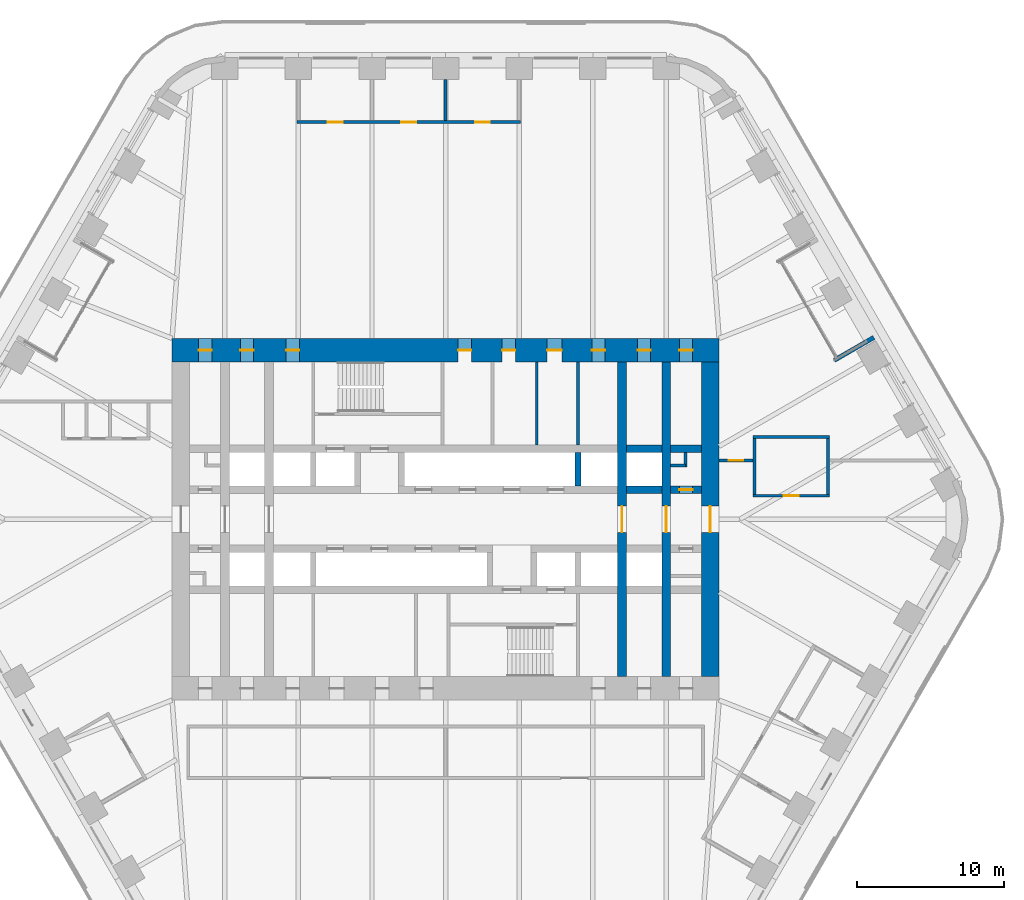
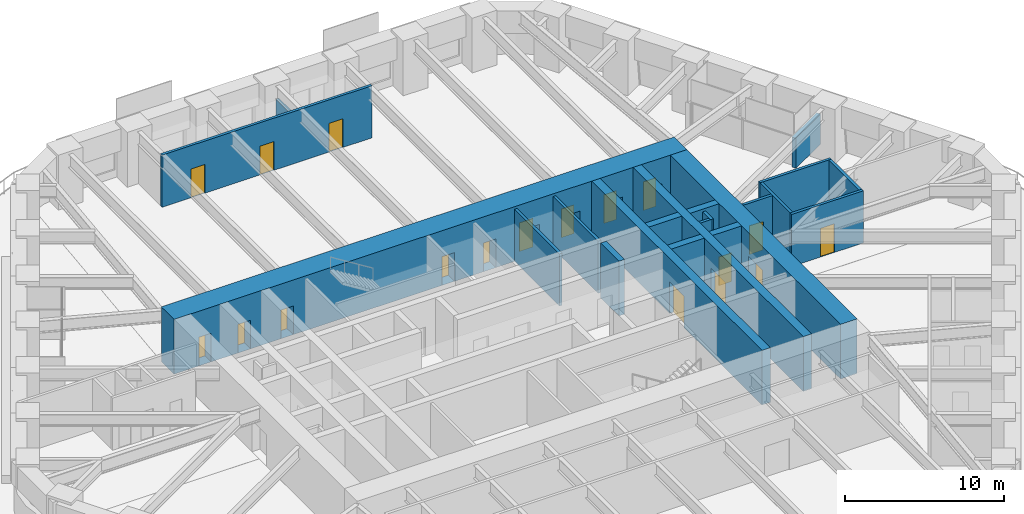
# One storey, part 20 of 24: 21 walls, 18 doors, 18 openings.
"""IFC4 building model written with IfcOpenShell, lengths in metres."""

from ifc_helpers import new_model, si_unit, direction, frame, frame_2d, origin, place, context, subcontext, project, spatial, rectangle, extrude, material, layer, layer_set, type_object, element, fill, save


model = new_model("IFC4")

# Units and contexts
model_context = context("Model", 3, precision=1e-05, world=origin(), true_north=direction((0.0, 1.0)))
body_context = subcontext(model_context, "Body", "Model", "MODEL_VIEW")
ifc_project = project(units=[si_unit("LENGTHUNIT", "METRE"), si_unit("AREAUNIT", "SQUARE_METRE"), si_unit("VOLUMEUNIT", "CUBIC_METRE"), si_unit("PLANEANGLEUNIT", "RADIAN"), si_unit("MASSUNIT", "GRAM", prefix="KILO")], contexts=[model_context])

# Site, building, storey
site_placement = place(None, origin())
site = spatial("IfcSite", under=ifc_project, at=site_placement, CompositionType="ELEMENT")
building_placement = place(site_placement, origin())
building = spatial("IfcBuilding", under=site, at=building_placement, Name="Tarfa Lantern Tower", CompositionType="ELEMENT")
storey_placement = place(building_placement, frame((0.0, 0.0, 132.10009765625)))
storey = spatial("IfcBuildingStorey", under=building, at=storey_placement, Name="L29", CompositionType="ELEMENT", Elevation=132.10009765625)

# Walls
ifc_material_1 = material(Name="Limestone cladding on blockwork", Category="masonry")
ifc_layer_1 = layer(ifc_material_1, 0.300048828125)
ifc_layer_set_1 = layer_set([ifc_layer_1], Name="EW1 STONE-CLAD WALL 300")
wall_type_1 = type_object("IfcWallType", Name="EW1 STONE-CLAD WALL 300", PredefinedType="SOLIDWALL", material=ifc_layer_set_1)
wall_1_placement = place(storey_placement, frame((29.1201171875, 12.362548828125, 0.0), z_axis=(0.0, 0.0, 1.0), x_axis=(-0.86602952684, -0.49999285859, 0.0)))
element("IfcWall", 1, at=wall_1_placement, inside=storey, type_object=wall_type_1, Name="Loggia return NE 1", PredefinedType="SOLIDWALL", context=body_context, shape_type="SweptSolid", body=[
    extrude(rectangle(XDim=3.10009765625, YDim=0.300048828125, at=frame_2d((1.550048828125, 0.0))), origin(), (0.0, 0.0, 1.0), 2.2998046875),
])
ifc_material_2 = material(Name="Concrete blockwork", Category="masonry")
ifc_layer_2 = layer(ifc_material_2, 0.199951171875)
ifc_layer_set_2 = layer_set([ifc_layer_2], Name="IW1 BLOCKWORK PARTITION 200 EI 120")
wall_type_2 = type_object("IfcWallType", Name="IW1 BLOCKWORK PARTITION 200 EI 120", PredefinedType="PARTITIONING", material=ifc_layer_set_2)
for number, where, z_axis, x_axis, name in (
    (2, (9.0, 5.050048828125, 0.0), (0.0, 0.0, 1.0), (0.0, 1.0, 0.0), "Core partition"),
    (3, (6.199951171875, 5.050048828125, 0.0), (0.0, 0.0, 1.0), (0.0, 1.0, 0.0), "Core partition"),
):
    element("IfcWall", number, at=place(storey_placement, frame(where, z_axis=z_axis, x_axis=x_axis)), inside=storey, type_object=wall_type_2, Name=name, PredefinedType="PARTITIONING", context=body_context, shape_type="SweptSolid", body=[
        extrude(rectangle(XDim=5.64990234375, YDim=0.199951171875, at=frame_2d((2.824951171875, 0.0))), origin(), (0.0, 0.0, 1.0), 4.0),
    ])
for number, where, z_axis, x_axis, name in (
    (4, (15.300048828125, 3.64990234375, 0.0), (0.0, 0.0, 1.0), (1.0, 0.0, 0.0), "Core partition"),
    (5, (16.300048828125, 3.550048828125, 0.0), (0.0, 0.0, 1.0), (0.0, 1.0, 0.0), "Core partition"),
):
    element("IfcWall", number, at=place(storey_placement, frame(where, z_axis=z_axis, x_axis=x_axis)), inside=storey, type_object=wall_type_2, Name=name, PredefinedType="PARTITIONING", context=body_context, shape_type="SweptSolid", body=[
        extrude(rectangle(XDim=1.0, YDim=0.199951171875, at=frame_2d((0.5, 0.0))), origin(), (0.0, 0.0, 1.0), 4.0),
    ])

# Wall, openings, doors
ifc_material_3 = material(Name="Gypsum board on steel studs", Category="steel")
ifc_layer_3 = layer(ifc_material_3, 0.2099609375)
ifc_layer_set_3 = layer_set([ifc_layer_3], Name="IW2 ACOUSTIC PARTITION 200")
wall_type_3 = type_object("IfcWallType", Name="IW2 ACOUSTIC PARTITION 200", PredefinedType="PARTITIONING", material=ifc_layer_set_3)
wall_2_placement = place(storey_placement, frame((5.103759765625, 27.0, 0.0), z_axis=(0.0, 0.0, 1.0), x_axis=(-1.0, 0.0, 0.0)))
wall_2 = element("IfcWall", 6, at=wall_2_placement, inside=storey, type_object=wall_type_3, Name="Partition", PredefinedType="PARTITIONING", context=body_context, shape_type="SweptSolid", body=[
    extrude(rectangle(XDim=15.211181640625, YDim=0.199951171875, at=frame_2d((7.60546875, 0.0))), origin(), (0.0, 0.0, 1.0), 4.0),
])
opening_1_placement = place(wall_2_placement, frame((2.101806640625, 0.0, 0.0)))
opening_1 = element("IfcOpeningElement", 7, at=opening_1_placement, cuts=wall_2, Name="Opening D34", PredefinedType="OPENING", context=body_context, shape_type="SweptSolid", body=[
    extrude(rectangle(XDim=1.0, YDim=2.199951171875, at=frame_2d((0.5, 1.10009765625))), frame((0.0, 0.10986328125, 0.0), z_axis=(0.0, -1.0, 0.0), x_axis=(1.0, 0.0, 0.0)), (0.0, 0.0, 1.0), 0.219970703125),
])
opening_2_placement = place(wall_2_placement, frame((7.10546875, 0.0, 0.0)))
opening_2 = element("IfcOpeningElement", 8, at=opening_2_placement, cuts=wall_2, Name="Opening D35", PredefinedType="OPENING", context=body_context, shape_type="SweptSolid", body=[
    extrude(rectangle(XDim=1.0, YDim=2.199951171875, at=frame_2d((0.5, 1.10009765625))), frame((0.0, 0.10986328125, 0.0), z_axis=(0.0, -1.0, 0.0), x_axis=(1.0, 0.0, 0.0)), (0.0, 0.0, 1.0), 0.219970703125),
])
opening_3_placement = place(wall_2_placement, frame((12.109375, 0.0, 0.0)))
opening_3 = element("IfcOpeningElement", 9, at=opening_3_placement, cuts=wall_2, Name="Opening D36", PredefinedType="OPENING", context=body_context, shape_type="SweptSolid", body=[
    extrude(rectangle(XDim=1.0, YDim=2.199951171875, at=frame_2d((0.5, 1.10009765625))), frame((0.0, 0.10986328125, 0.0), z_axis=(0.0, -1.0, 0.0), x_axis=(1.0, 0.0, 0.0)), (0.0, 0.0, 1.0), 0.219970703125),
])
ifc_material_4 = material(Name="Timber door", Category="wood")
door_type_1 = type_object("IfcDoorType", Name="DR1 ROOM DOOR 1000x2200", OperationType="SINGLE_SWING_LEFT", PredefinedType="DOOR", material=ifc_material_4)
door_1_placement = place(opening_1_placement, frame((1.0, 0.0, 0.0), z_axis=(0.0, 0.0, 1.0), x_axis=(-1.0, 0.0, 0.0)))
door_1 = element("IfcDoor", 10, at=door_1_placement, inside=storey, type_object=door_type_1, Name="Office door", OperationType="SINGLE_SWING_LEFT", OverallHeight=2.199951171875, OverallWidth=1.0, PredefinedType="DOOR", context=body_context, shape_type="SweptSolid", body=[
    extrude(rectangle(XDim=1.0, YDim=2.199951171875, at=frame_2d((0.5, 1.10009765625))), frame((0.0, 0.02490234375, 0.0), z_axis=(0.0, -1.0, 0.0), x_axis=(1.0, 0.0, 0.0)), (0.0, 0.0, 1.0), 0.050048828125),
])
fill(opening_1, door_1)
door_2_placement = place(opening_2_placement, frame((1.0, 0.0, 0.0), z_axis=(0.0, 0.0, 1.0), x_axis=(-1.0, 0.0, 0.0)))
door_2 = element("IfcDoor", 11, at=door_2_placement, inside=storey, type_object=door_type_1, Name="Office door", OperationType="SINGLE_SWING_LEFT", OverallHeight=2.199951171875, OverallWidth=1.0, PredefinedType="DOOR", context=body_context, shape_type="SweptSolid", body=[
    extrude(rectangle(XDim=1.0, YDim=2.199951171875, at=frame_2d((0.5, 1.10009765625))), frame((0.0, 0.02490234375, 0.0), z_axis=(0.0, -1.0, 0.0), x_axis=(1.0, 0.0, 0.0)), (0.0, 0.0, 1.0), 0.050048828125),
])
fill(opening_2, door_2)
door_3_placement = place(opening_3_placement, frame((1.0, 0.0, 0.0), z_axis=(0.0, 0.0, 1.0), x_axis=(-1.0, 0.0, 0.0)))
door_3 = element("IfcDoor", 12, at=door_3_placement, inside=storey, type_object=door_type_1, Name="Office door", OperationType="SINGLE_SWING_RIGHT", OverallHeight=2.199951171875, OverallWidth=1.0, PredefinedType="DOOR", context=body_context, shape_type="SweptSolid", body=[
    extrude(rectangle(XDim=1.0, YDim=2.199951171875, at=frame_2d((0.5, 1.10009765625))), frame((0.0, 0.02490234375, 0.0), z_axis=(0.0, -1.0, 0.0), x_axis=(1.0, 0.0, 0.0)), (0.0, 0.0, 1.0), 0.050048828125),
])
fill(opening_3, door_3)

# Wall
wall_3_placement = place(storey_placement, frame((0.0, 27.10009765625, 0.0), z_axis=(0.0, 0.0, 1.0), x_axis=(0.0, 1.0, 0.0)))
element("IfcWall", 13, at=wall_3_placement, inside=storey, type_object=wall_type_3, Name="Partition", PredefinedType="PARTITIONING", context=body_context, shape_type="SweptSolid", body=[
    extrude(rectangle(XDim=2.7998046875, YDim=0.199951171875, at=frame_2d((1.39990234375, 0.0))), origin(), (0.0, 0.0, 1.0), 2.99169921875),
])

# Wall, opening, door
wall_4_placement = place(storey_placement, frame((20.89990234375, 1.60009765625, 0.0), z_axis=(0.0, 0.0, 1.0), x_axis=(1.0, 0.0, 0.0)))
wall_4 = element("IfcWall", 14, at=wall_4_placement, inside=storey, type_object=wall_type_3, Name="Partition", PredefinedType="PARTITIONING", context=body_context, shape_type="SweptSolid", body=[
    extrude(rectangle(XDim=5.2001953125, YDim=0.199951171875, at=frame_2d((2.60009765625, 0.0))), origin(), (0.0, 0.0, 1.0), 4.0),
])
opening_4_placement = place(wall_4_placement, frame((2.10009765625, 0.0, 0.0)))
opening_4 = element("IfcOpeningElement", 15, at=opening_4_placement, cuts=wall_4, Name="Opening D33", PredefinedType="OPENING", context=body_context, shape_type="SweptSolid", body=[
    extrude(rectangle(XDim=1.0, YDim=2.199951171875, at=frame_2d((0.5, 1.10009765625))), frame((0.0, 0.10986328125, 0.0), z_axis=(0.0, -1.0, 0.0), x_axis=(1.0, 0.0, 0.0)), (0.0, 0.0, 1.0), 0.219970703125),
])
door_4_placement = place(opening_4_placement, origin())
door_4 = element("IfcDoor", 16, at=door_4_placement, inside=storey, type_object=door_type_1, Name="Pantry door", OperationType="SINGLE_SWING_RIGHT", OverallHeight=2.199951171875, OverallWidth=1.0, PredefinedType="DOOR", context=body_context, shape_type="SweptSolid", body=[
    extrude(rectangle(XDim=1.0, YDim=2.199951171875, at=frame_2d((0.5, 1.10009765625))), frame((0.0, 0.02490234375, 0.0), z_axis=(0.0, -1.0, 0.0), x_axis=(1.0, 0.0, 0.0)), (0.0, 0.0, 1.0), 0.050048828125),
])
fill(opening_4, door_4)

# Walls
wall_5_placement = place(storey_placement, frame((20.89990234375, 5.60009765625, 0.0), z_axis=(0.0, 0.0, 1.0), x_axis=(1.0, 0.0, 0.0)))
element("IfcWall", 17, at=wall_5_placement, inside=storey, type_object=wall_type_3, Name="Partition", PredefinedType="PARTITIONING", context=body_context, shape_type="SweptSolid", body=[
    extrude(rectangle(XDim=5.2001953125, YDim=0.199951171875, at=frame_2d((2.60009765625, 0.0))), origin(), (0.0, 0.0, 1.0), 4.0),
])
for number, where, z_axis, x_axis, name in (
    (18, (21.0, 1.699951171875, 0.0), (0.0, 0.0, 1.0), (0.0, 1.0, 0.0), "Partition"),
    (19, (26.0, 1.699951171875, 0.0), (0.0, 0.0, 1.0), (0.0, 1.0, 0.0), "Partition"),
):
    element("IfcWall", number, at=place(storey_placement, frame(where, z_axis=z_axis, x_axis=x_axis)), inside=storey, type_object=wall_type_3, Name=name, PredefinedType="PARTITIONING", context=body_context, shape_type="SweptSolid", body=[
        extrude(rectangle(XDim=3.800048828125, YDim=0.199951171875, at=frame_2d((1.89990234375, 0.0))), origin(), (0.0, 0.0, 1.0), 4.0),
    ])

# Wall, opening, door
wall_6_placement = place(storey_placement, frame((18.60009765625, 4.0, 0.0), z_axis=(0.0, 0.0, 1.0), x_axis=(1.0, 0.0, 0.0)))
wall_6 = element("IfcWall", 20, at=wall_6_placement, inside=storey, type_object=wall_type_3, Name="Partition", PredefinedType="PARTITIONING", context=body_context, shape_type="SweptSolid", body=[
    extrude(rectangle(XDim=2.2998046875, YDim=0.199951171875, at=frame_2d((1.14990234375, 0.0))), origin(), (0.0, 0.0, 1.0), 4.0),
])
opening_5_placement = place(wall_6_placement, frame((0.64990234375, 0.0, 0.0)))
opening_5 = element("IfcOpeningElement", 21, at=opening_5_placement, cuts=wall_6, Name="Opening D47", PredefinedType="OPENING", context=body_context, shape_type="SweptSolid", body=[
    extrude(rectangle(XDim=1.0, YDim=2.199951171875, at=frame_2d((0.5, 1.10009765625))), frame((0.0, 0.10986328125, 0.0), z_axis=(0.0, -1.0, 0.0), x_axis=(1.0, 0.0, 0.0)), (0.0, 0.0, 1.0), 0.219970703125),
])
door_5_placement = place(opening_5_placement, origin())
door_5 = element("IfcDoor", 22, at=door_5_placement, inside=storey, type_object=door_type_1, Name="Zone door", OperationType="SINGLE_SWING_LEFT", OverallHeight=2.199951171875, OverallWidth=1.0, PredefinedType="DOOR", context=body_context, shape_type="SweptSolid", body=[
    extrude(rectangle(XDim=1.0, YDim=2.199951171875, at=frame_2d((0.5, 1.10009765625))), frame((0.0, 0.02490234375, 0.0), z_axis=(0.0, -1.0, 0.0), x_axis=(1.0, 0.0, 0.0)), (0.0, 0.0, 1.0), 0.050048828125),
])
fill(opening_5, door_5)

ifc_material_5 = material(Name="Concrete C80/95", Category="concrete")
ifc_layer_4 = layer(ifc_material_5, 1.199951171875)
ifc_layer_set_4 = layer_set([ifc_layer_4], Name="SW1 CORE WALL 1200")
wall_type_4 = type_object("IfcWallType", Name="SW1 CORE WALL 1200", PredefinedType="SHEAR", material=ifc_layer_set_4)
wall_7_placement = place(storey_placement, frame((18.0, -10.699951171875, 0.0), z_axis=(0.0, 0.0, 1.0), x_axis=(0.0, 1.0, 0.0)))
wall_7 = element("IfcWall", 23, at=wall_7_placement, inside=storey, type_object=wall_type_4, Name="Core wall E", PredefinedType="SHEAR", context=body_context, shape_type="SweptSolid", body=[
    extrude(rectangle(XDim=21.39990234375, YDim=1.199951171875, at=frame_2d((10.699951171875, 0.0))), origin(), (0.0, 0.0, 1.0), 4.199951171875),
])
opening_6_placement = place(wall_7_placement, frame((9.800048828125, 0.0, 0.0)))
opening_6 = element("IfcOpeningElement", 24, at=opening_6_placement, cuts=wall_7, Name="Opening D15", PredefinedType="OPENING", context=body_context, shape_type="SweptSolid", body=[
    extrude(rectangle(XDim=1.800048828125, YDim=2.39990234375, at=frame_2d((0.89990234375, 1.199951171875))), frame((0.0, 0.60986328125, 0.0), z_axis=(0.0, -1.0, 0.0), x_axis=(1.0, 0.0, 0.0)), (0.0, 0.0, 1.0), 1.219970703125),
])
ifc_material_6 = material(Name="Steel fire door", Category="steel")
door_type_2 = type_object("IfcDoorType", Name="DL1 LOBBY DOOR 1800x2400", OperationType="DOUBLE_DOOR_SINGLE_SWING", PredefinedType="DOOR", material=ifc_material_6)
door_6_placement = place(opening_6_placement, frame((1.800048828125, 0.0, 0.0), z_axis=(0.0, 0.0, 1.0), x_axis=(-1.0, 0.0, 0.0)))
door_6 = element("IfcDoor", 25, at=door_6_placement, inside=storey, type_object=door_type_2, Name="Lift lobby door", OperationType="DOUBLE_DOOR_SINGLE_SWING", OverallHeight=2.39990234375, OverallWidth=1.800048828125, PredefinedType="DOOR", context=body_context, shape_type="SweptSolid", body=[
    extrude(rectangle(XDim=1.800048828125, YDim=2.39990234375, at=frame_2d((0.89990234375, 1.199951171875))), frame((0.0, 0.02490234375, 0.0), z_axis=(0.0, -1.0, 0.0), x_axis=(1.0, 0.0, 0.0)), (0.0, 0.0, 1.0), 0.050048828125),
])
fill(opening_6, door_6)

# Wall
ifc_layer_5 = layer(ifc_material_5, 0.5)
ifc_layer_set_5 = layer_set([ifc_layer_5], Name="SW5 CORE WALL 500")
wall_type_5 = type_object("IfcWallType", Name="SW5 CORE WALL 500", PredefinedType="SHEAR", material=ifc_layer_set_5)
wall_8_placement = place(storey_placement, frame((12.300048828125, 2.0, 0.0), z_axis=(0.0, 0.0, 1.0), x_axis=(1.0, 0.0, 0.0)))
element("IfcWall", 26, at=wall_8_placement, inside=storey, type_object=wall_type_5, Name="Core wall lobby east N", PredefinedType="SHEAR", context=body_context, shape_type="SweptSolid", body=[
    extrude(rectangle(XDim=2.39990234375, YDim=0.5, at=frame_2d((1.199951171875, 0.0))), origin(), (0.0, 0.0, 1.0), 4.199951171875),
])

# Wall, opening, door
wall_9_placement = place(storey_placement, frame((15.300048828125, 2.0, 0.0), z_axis=(0.0, 0.0, 1.0), x_axis=(1.0, 0.0, 0.0)))
wall_9 = element("IfcWall", 27, at=wall_9_placement, inside=storey, type_object=wall_type_5, Name="Core wall lobby east N", PredefinedType="SHEAR", context=body_context, shape_type="SweptSolid", body=[
    extrude(rectangle(XDim=2.099853515625, YDim=0.5, at=frame_2d((1.0498046875, 0.0))), origin(), (0.0, 0.0, 1.0), 4.199951171875),
])
opening_7_placement = place(wall_9_placement, frame((0.60009765625, 0.0, 0.0)))
opening_7 = element("IfcOpeningElement", 28, at=opening_7_placement, cuts=wall_9, Name="Opening D17", PredefinedType="OPENING", context=body_context, shape_type="SweptSolid", body=[
    extrude(rectangle(XDim=0.89990234375, YDim=2.199951171875, at=frame_2d((0.449951171875, 1.10009765625))), frame((0.0, 0.260009765625, 0.0), z_axis=(0.0, -1.0, 0.0), x_axis=(1.0, 0.0, 0.0)), (0.0, 0.0, 1.0), 0.52001953125),
])
door_type_3 = type_object("IfcDoorType", Name="DF6 SERVICE ROOM DOOR 900x2200", OperationType="SINGLE_SWING_LEFT", PredefinedType="DOOR", material=ifc_material_6)
door_7_placement = place(opening_7_placement, origin())
door_7 = element("IfcDoor", 29, at=door_7_placement, inside=storey, type_object=door_type_3, Name="Service room door", OperationType="SINGLE_SWING_LEFT", OverallHeight=2.199951171875, OverallWidth=0.89990234375, PredefinedType="DOOR", context=body_context, shape_type="SweptSolid", body=[
    extrude(rectangle(XDim=0.89990234375, YDim=2.199951171875, at=frame_2d((0.449951171875, 1.10009765625))), frame((0.0, 0.02490234375, 0.0), z_axis=(0.0, -1.0, 0.0), x_axis=(1.0, 0.0, 0.0)), (0.0, 0.0, 1.0), 0.050048828125),
])
fill(opening_7, door_7)

# Walls
wall_10_placement = place(storey_placement, frame((12.300048828125, 4.800048828125, 0.0), z_axis=(0.0, 0.0, 1.0), x_axis=(1.0, 0.0, 0.0)))
element("IfcWall", 30, at=wall_10_placement, inside=storey, type_object=wall_type_5, Name="Core wall rear N", PredefinedType="SHEAR", context=body_context, shape_type="SweptSolid", body=[
    extrude(rectangle(XDim=2.39990234375, YDim=0.5, at=frame_2d((1.199951171875, 0.0))), origin(), (0.0, 0.0, 1.0), 4.199951171875),
])
wall_11_placement = place(storey_placement, frame((15.300048828125, 4.800048828125, 0.0), z_axis=(0.0, 0.0, 1.0), x_axis=(1.0, 0.0, 0.0)))
element("IfcWall", 31, at=wall_11_placement, inside=storey, type_object=wall_type_5, Name="Core wall rear N", PredefinedType="SHEAR", context=body_context, shape_type="SweptSolid", body=[
    extrude(rectangle(XDim=2.099853515625, YDim=0.5, at=frame_2d((1.0498046875, 0.0))), origin(), (0.0, 0.0, 1.0), 4.199951171875),
])
ifc_layer_6 = layer(ifc_material_5, 0.39990234375)
ifc_layer_set_6 = layer_set([ifc_layer_6], Name="SW6 CORE WALL 400")
wall_type_6 = type_object("IfcWallType", Name="SW6 CORE WALL 400", PredefinedType="SHEAR", material=ifc_layer_set_6)
wall_12_placement = place(storey_placement, frame((9.0, 2.25, 0.0), z_axis=(0.0, 0.0, 1.0), x_axis=(0.0, 1.0, 0.0)))
element("IfcWall", 32, at=wall_12_placement, inside=storey, type_object=wall_type_6, Name="Core wall divider N", PredefinedType="SHEAR", context=body_context, shape_type="SweptSolid", body=[
    extrude(rectangle(XDim=2.300048828125, YDim=0.39990234375, at=frame_2d((1.14990234375, 0.0))), origin(), (0.0, 0.0, 1.0), 4.199951171875),
])

# Wall, openings, doors
ifc_layer_7 = layer(ifc_material_5, 1.60009765625)
ifc_layer_set_7 = layer_set([ifc_layer_7], Name="SW7 CORE WALL 1600")
wall_type_7 = type_object("IfcWallType", Name="SW7 CORE WALL 1600", PredefinedType="SHEAR", material=ifc_layer_set_7)
wall_13_placement = place(storey_placement, frame((-18.60009765625, 11.5, 0.0), z_axis=(0.0, 0.0, 1.0), x_axis=(1.0, 0.0, 0.0)))
wall_13 = element("IfcWall", 33, at=wall_13_placement, inside=storey, type_object=wall_type_7, Name="Core wall N", PredefinedType="SHEAR", context=body_context, shape_type="SweptSolid", body=[
    extrude(rectangle(XDim=37.2001953125, YDim=1.60009765625, at=frame_2d((18.60009765625, 0.0))), origin(), (0.0, 0.0, 1.0), 4.199951171875),
])
opening_8_placement = place(wall_13_placement, frame((19.449951171875, 0.0, 0.0)))
opening_8 = element("IfcOpeningElement", 34, at=opening_8_placement, cuts=wall_13, Name="Opening D21", PredefinedType="OPENING", context=body_context, shape_type="SweptSolid", body=[
    extrude(rectangle(XDim=0.89990234375, YDim=2.199951171875, at=frame_2d((0.449951171875, 1.10009765625))), frame((0.0, 0.81005859375, 0.0), z_axis=(0.0, -1.0, 0.0), x_axis=(1.0, 0.0, 0.0)), (0.0, 0.0, 1.0), 1.6201171875),
])
opening_9_placement = place(wall_13_placement, frame((22.449951171875, 0.0, 0.0)))
opening_9 = element("IfcOpeningElement", 35, at=opening_9_placement, cuts=wall_13, Name="Opening D23", PredefinedType="OPENING", context=body_context, shape_type="SweptSolid", body=[
    extrude(rectangle(XDim=0.89990234375, YDim=2.199951171875, at=frame_2d((0.449951171875, 1.10009765625))), frame((0.0, 0.81005859375, 0.0), z_axis=(0.0, -1.0, 0.0), x_axis=(1.0, 0.0, 0.0)), (0.0, 0.0, 1.0), 1.6201171875),
])
opening_10_placement = place(wall_13_placement, frame((25.5, 0.0, 0.0)))
opening_10 = element("IfcOpeningElement", 36, at=opening_10_placement, cuts=wall_13, Name="Opening D25", PredefinedType="OPENING", context=body_context, shape_type="SweptSolid", body=[
    extrude(rectangle(XDim=1.0, YDim=2.199951171875, at=frame_2d((0.5, 1.10009765625))), frame((0.0, 0.81005859375, 0.0), z_axis=(0.0, -1.0, 0.0), x_axis=(1.0, 0.0, 0.0)), (0.0, 0.0, 1.0), 1.6201171875),
])
opening_11_placement = place(wall_13_placement, frame((1.800048828125, 0.0, 0.0)))
opening_11 = element("IfcOpeningElement", 37, at=opening_11_placement, cuts=wall_13, Name="Opening D11", PredefinedType="OPENING", context=body_context, shape_type="SweptSolid", body=[
    extrude(rectangle(XDim=0.89990234375, YDim=2.199951171875, at=frame_2d((0.449951171875, 1.10009765625))), frame((0.0, 0.81005859375, 0.0), z_axis=(0.0, -1.0, 0.0), x_axis=(1.0, 0.0, 0.0)), (0.0, 0.0, 1.0), 1.6201171875),
])
opening_12_placement = place(wall_13_placement, frame((4.64990234375, 0.0, 0.0)))
opening_12 = element("IfcOpeningElement", 38, at=opening_12_placement, cuts=wall_13, Name="Opening D07", PredefinedType="OPENING", context=body_context, shape_type="SweptSolid", body=[
    extrude(rectangle(XDim=0.89990234375, YDim=2.199951171875, at=frame_2d((0.449951171875, 1.10009765625))), frame((0.0, 0.81005859375, 0.0), z_axis=(0.0, -1.0, 0.0), x_axis=(1.0, 0.0, 0.0)), (0.0, 0.0, 1.0), 1.6201171875),
])
opening_13_placement = place(wall_13_placement, frame((7.75, 0.0, 0.0)))
opening_13 = element("IfcOpeningElement", 39, at=opening_13_placement, cuts=wall_13, Name="Opening D09", PredefinedType="OPENING", context=body_context, shape_type="SweptSolid", body=[
    extrude(rectangle(XDim=0.89990234375, YDim=2.199951171875, at=frame_2d((0.449951171875, 1.10009765625))), frame((0.0, 0.81005859375, 0.0), z_axis=(0.0, -1.0, 0.0), x_axis=(1.0, 0.0, 0.0)), (0.0, 0.0, 1.0), 1.6201171875),
])
opening_14_placement = place(wall_13_placement, frame((28.550048828125, 0.0, 0.0)))
opening_14 = element("IfcOpeningElement", 40, at=opening_14_placement, cuts=wall_13, Name="Opening D05", PredefinedType="OPENING", context=body_context, shape_type="SweptSolid", body=[
    extrude(rectangle(XDim=0.89990234375, YDim=2.199951171875, at=frame_2d((0.449951171875, 1.10009765625))), frame((0.0, 0.81005859375, 0.0), z_axis=(0.0, -1.0, 0.0), x_axis=(1.0, 0.0, 0.0)), (0.0, 0.0, 1.0), 1.6201171875),
])
opening_15_placement = place(wall_13_placement, frame((31.64990234375, 0.0, 0.0)))
opening_15 = element("IfcOpeningElement", 41, at=opening_15_placement, cuts=wall_13, Name="Opening D01", PredefinedType="OPENING", context=body_context, shape_type="SweptSolid", body=[
    extrude(rectangle(XDim=0.89990234375, YDim=2.199951171875, at=frame_2d((0.449951171875, 1.10009765625))), frame((0.0, 0.81005859375, 0.0), z_axis=(0.0, -1.0, 0.0), x_axis=(1.0, 0.0, 0.0)), (0.0, 0.0, 1.0), 1.6201171875),
])
opening_16_placement = place(wall_13_placement, frame((34.5, 0.0, 0.0)))
opening_16 = element("IfcOpeningElement", 42, at=opening_16_placement, cuts=wall_13, Name="Opening D03", PredefinedType="OPENING", context=body_context, shape_type="SweptSolid", body=[
    extrude(rectangle(XDim=0.89990234375, YDim=2.199951171875, at=frame_2d((0.449951171875, 1.10009765625))), frame((0.0, 0.81005859375, 0.0), z_axis=(0.0, -1.0, 0.0), x_axis=(1.0, 0.0, 0.0)), (0.0, 0.0, 1.0), 1.6201171875),
])
door_type_4 = type_object("IfcDoorType", Name="DF3 CORE ROOM DOOR 900x2200", OperationType="SINGLE_SWING_LEFT", PredefinedType="DOOR", material=ifc_material_6)
door_8_placement = place(opening_8_placement, frame((0.89990234375, 0.0, 0.0), z_axis=(0.0, 0.0, 1.0), x_axis=(-1.0, 0.0, 0.0)))
door_8 = element("IfcDoor", 43, at=door_8_placement, inside=storey, type_object=door_type_4, Name="Core door", OperationType="SINGLE_SWING_LEFT", OverallHeight=2.199951171875, OverallWidth=0.89990234375, PredefinedType="DOOR", context=body_context, shape_type="SweptSolid", body=[
    extrude(rectangle(XDim=0.89990234375, YDim=2.199951171875, at=frame_2d((0.449951171875, 1.10009765625))), frame((0.0, 0.02490234375, 0.0), z_axis=(0.0, -1.0, 0.0), x_axis=(1.0, 0.0, 0.0)), (0.0, 0.0, 1.0), 0.050048828125),
])
fill(opening_8, door_8)
door_9_placement = place(opening_9_placement, frame((0.89990234375, 0.0, 0.0), z_axis=(0.0, 0.0, 1.0), x_axis=(-1.0, 0.0, 0.0)))
door_9 = element("IfcDoor", 44, at=door_9_placement, inside=storey, type_object=door_type_4, Name="Core door", OperationType="SINGLE_SWING_LEFT", OverallHeight=2.199951171875, OverallWidth=0.89990234375, PredefinedType="DOOR", context=body_context, shape_type="SweptSolid", body=[
    extrude(rectangle(XDim=0.89990234375, YDim=2.199951171875, at=frame_2d((0.449951171875, 1.10009765625))), frame((0.0, 0.02490234375, 0.0), z_axis=(0.0, -1.0, 0.0), x_axis=(1.0, 0.0, 0.0)), (0.0, 0.0, 1.0), 0.050048828125),
])
fill(opening_9, door_9)
door_type_5 = type_object("IfcDoorType", Name="DF4 CORE ROOM DOOR 1000x2200", OperationType="SINGLE_SWING_LEFT", PredefinedType="DOOR", material=ifc_material_6)
door_10_placement = place(opening_10_placement, frame((1.0, 0.0, 0.0), z_axis=(0.0, 0.0, 1.0), x_axis=(-1.0, 0.0, 0.0)))
door_10 = element("IfcDoor", 45, at=door_10_placement, inside=storey, type_object=door_type_5, Name="Core door", OperationType="SINGLE_SWING_LEFT", OverallHeight=2.199951171875, OverallWidth=1.0, PredefinedType="DOOR", context=body_context, shape_type="SweptSolid", body=[
    extrude(rectangle(XDim=1.0, YDim=2.199951171875, at=frame_2d((0.5, 1.10009765625))), frame((0.0, 0.02490234375, 0.0), z_axis=(0.0, -1.0, 0.0), x_axis=(1.0, 0.0, 0.0)), (0.0, 0.0, 1.0), 0.050048828125),
])
fill(opening_10, door_10)
door_type_6 = type_object("IfcDoorType", Name="DF5 RISER DOOR 900x2200", OperationType="SINGLE_SWING_LEFT", PredefinedType="DOOR", material=ifc_material_6)
door_11_placement = place(opening_11_placement, frame((0.89990234375, 0.0, 0.0), z_axis=(0.0, 0.0, 1.0), x_axis=(-1.0, 0.0, 0.0)))
door_11 = element("IfcDoor", 46, at=door_11_placement, inside=storey, type_object=door_type_6, Name="Riser door", OperationType="SINGLE_SWING_LEFT", OverallHeight=2.199951171875, OverallWidth=0.89990234375, PredefinedType="DOOR", context=body_context, shape_type="SweptSolid", body=[
    extrude(rectangle(XDim=0.89990234375, YDim=2.199951171875, at=frame_2d((0.449951171875, 1.10009765625))), frame((0.0, 0.02490234375, 0.0), z_axis=(0.0, -1.0, 0.0), x_axis=(1.0, 0.0, 0.0)), (0.0, 0.0, 1.0), 0.050048828125),
])
fill(opening_11, door_11)
door_12_placement = place(opening_12_placement, frame((0.89990234375, 0.0, 0.0), z_axis=(0.0, 0.0, 1.0), x_axis=(-1.0, 0.0, 0.0)))
door_12 = element("IfcDoor", 47, at=door_12_placement, inside=storey, type_object=door_type_6, Name="Riser door", OperationType="SINGLE_SWING_LEFT", OverallHeight=2.199951171875, OverallWidth=0.89990234375, PredefinedType="DOOR", context=body_context, shape_type="SweptSolid", body=[
    extrude(rectangle(XDim=0.89990234375, YDim=2.199951171875, at=frame_2d((0.449951171875, 1.10009765625))), frame((0.0, 0.02490234375, 0.0), z_axis=(0.0, -1.0, 0.0), x_axis=(1.0, 0.0, 0.0)), (0.0, 0.0, 1.0), 0.050048828125),
])
fill(opening_12, door_12)
door_13_placement = place(opening_13_placement, frame((0.89990234375, 0.0, 0.0), z_axis=(0.0, 0.0, 1.0), x_axis=(-1.0, 0.0, 0.0)))
door_13 = element("IfcDoor", 48, at=door_13_placement, inside=storey, type_object=door_type_6, Name="Riser door", OperationType="SINGLE_SWING_LEFT", OverallHeight=2.199951171875, OverallWidth=0.89990234375, PredefinedType="DOOR", context=body_context, shape_type="SweptSolid", body=[
    extrude(rectangle(XDim=0.89990234375, YDim=2.199951171875, at=frame_2d((0.449951171875, 1.10009765625))), frame((0.0, 0.02490234375, 0.0), z_axis=(0.0, -1.0, 0.0), x_axis=(1.0, 0.0, 0.0)), (0.0, 0.0, 1.0), 0.050048828125),
])
fill(opening_13, door_13)
door_14_placement = place(opening_14_placement, frame((0.89990234375, 0.0, 0.0), z_axis=(0.0, 0.0, 1.0), x_axis=(-1.0, 0.0, 0.0)))
door_14 = element("IfcDoor", 49, at=door_14_placement, inside=storey, type_object=door_type_6, Name="Riser door", OperationType="SINGLE_SWING_RIGHT", OverallHeight=2.199951171875, OverallWidth=0.89990234375, PredefinedType="DOOR", context=body_context, shape_type="SweptSolid", body=[
    extrude(rectangle(XDim=0.89990234375, YDim=2.199951171875, at=frame_2d((0.449951171875, 1.10009765625))), frame((0.0, 0.02490234375, 0.0), z_axis=(0.0, -1.0, 0.0), x_axis=(1.0, 0.0, 0.0)), (0.0, 0.0, 1.0), 0.050048828125),
])
fill(opening_14, door_14)
door_15_placement = place(opening_15_placement, frame((0.89990234375, 0.0, 0.0), z_axis=(0.0, 0.0, 1.0), x_axis=(-1.0, 0.0, 0.0)))
door_15 = element("IfcDoor", 50, at=door_15_placement, inside=storey, type_object=door_type_6, Name="Riser door", OperationType="SINGLE_SWING_RIGHT", OverallHeight=2.199951171875, OverallWidth=0.89990234375, PredefinedType="DOOR", context=body_context, shape_type="SweptSolid", body=[
    extrude(rectangle(XDim=0.89990234375, YDim=2.199951171875, at=frame_2d((0.449951171875, 1.10009765625))), frame((0.0, 0.02490234375, 0.0), z_axis=(0.0, -1.0, 0.0), x_axis=(1.0, 0.0, 0.0)), (0.0, 0.0, 1.0), 0.050048828125),
])
fill(opening_15, door_15)
door_16_placement = place(opening_16_placement, frame((0.89990234375, 0.0, 0.0), z_axis=(0.0, 0.0, 1.0), x_axis=(-1.0, 0.0, 0.0)))
door_16 = element("IfcDoor", 51, at=door_16_placement, inside=storey, type_object=door_type_6, Name="Riser door", OperationType="SINGLE_SWING_RIGHT", OverallHeight=2.199951171875, OverallWidth=0.89990234375, PredefinedType="DOOR", context=body_context, shape_type="SweptSolid", body=[
    extrude(rectangle(XDim=0.89990234375, YDim=2.199951171875, at=frame_2d((0.449951171875, 1.10009765625))), frame((0.0, 0.02490234375, 0.0), z_axis=(0.0, -1.0, 0.0), x_axis=(1.0, 0.0, 0.0)), (0.0, 0.0, 1.0), 0.050048828125),
])
fill(opening_16, door_16)

# Wall, opening, door
ifc_layer_8 = layer(ifc_material_5, 0.60009765625)
ifc_layer_set_8 = layer_set([ifc_layer_8], Name="SW9 CORE WALL 600")
wall_type_8 = type_object("IfcWallType", Name="SW9 CORE WALL 600", PredefinedType="SHEAR", material=ifc_layer_set_8)
wall_14_placement = place(storey_placement, frame((12.0, -10.699951171875, 0.0), z_axis=(0.0, 0.0, 1.0), x_axis=(0.0, 1.0, 0.0)))
wall_14 = element("IfcWall", 52, at=wall_14_placement, inside=storey, type_object=wall_type_8, Name="Core wall cross 12 m east", PredefinedType="SHEAR", context=body_context, shape_type="SweptSolid", body=[
    extrude(rectangle(XDim=21.39990234375, YDim=0.60009765625, at=frame_2d((10.699951171875, 0.0))), origin(), (0.0, 0.0, 1.0), 4.199951171875),
])
opening_17_placement = place(wall_14_placement, frame((9.800048828125, 0.0, 0.0)))
opening_17 = element("IfcOpeningElement", 53, at=opening_17_placement, cuts=wall_14, Name="Opening D29", PredefinedType="OPENING", context=body_context, shape_type="SweptSolid", body=[
    extrude(rectangle(XDim=1.800048828125, YDim=2.39990234375, at=frame_2d((0.89990234375, 1.199951171875))), frame((0.0, 0.31005859375, 0.0), z_axis=(0.0, -1.0, 0.0), x_axis=(1.0, 0.0, 0.0)), (0.0, 0.0, 1.0), 0.6201171875),
])
door_17_placement = place(opening_17_placement, origin())
door_17 = element("IfcDoor", 54, at=door_17_placement, inside=storey, type_object=door_type_2, Name="Lift lobby door", OperationType="DOUBLE_DOOR_SINGLE_SWING", OverallHeight=2.39990234375, OverallWidth=1.800048828125, PredefinedType="DOOR", context=body_context, shape_type="SweptSolid", body=[
    extrude(rectangle(XDim=1.800048828125, YDim=2.39990234375, at=frame_2d((0.89990234375, 1.199951171875))), frame((0.0, 0.02490234375, 0.0), z_axis=(0.0, -1.0, 0.0), x_axis=(1.0, 0.0, 0.0)), (0.0, 0.0, 1.0), 0.050048828125),
])
fill(opening_17, door_17)

wall_15_placement = place(storey_placement, frame((15.0, -10.699951171875, 0.0), z_axis=(0.0, 0.0, 1.0), x_axis=(0.0, 1.0, 0.0)))
wall_15 = element("IfcWall", 55, at=wall_15_placement, inside=storey, type_object=wall_type_8, Name="Core wall cross 15 m east", PredefinedType="SHEAR", context=body_context, shape_type="SweptSolid", body=[
    extrude(rectangle(XDim=21.39990234375, YDim=0.60009765625, at=frame_2d((10.699951171875, 0.0))), origin(), (0.0, 0.0, 1.0), 4.199951171875),
])
opening_18_placement = place(wall_15_placement, frame((9.800048828125, 0.0, 0.0)))
opening_18 = element("IfcOpeningElement", 56, at=opening_18_placement, cuts=wall_15, Name="Opening D30", PredefinedType="OPENING", context=body_context, shape_type="SweptSolid", body=[
    extrude(rectangle(XDim=1.800048828125, YDim=2.39990234375, at=frame_2d((0.89990234375, 1.199951171875))), frame((0.0, 0.31005859375, 0.0), z_axis=(0.0, -1.0, 0.0), x_axis=(1.0, 0.0, 0.0)), (0.0, 0.0, 1.0), 0.6201171875),
])
door_18_placement = place(opening_18_placement, origin())
door_18 = element("IfcDoor", 57, at=door_18_placement, inside=storey, type_object=door_type_2, Name="Lift lobby door", OperationType="DOUBLE_DOOR_SINGLE_SWING", OverallHeight=2.39990234375, OverallWidth=1.800048828125, PredefinedType="DOOR", context=body_context, shape_type="SweptSolid", body=[
    extrude(rectangle(XDim=1.800048828125, YDim=2.39990234375, at=frame_2d((0.89990234375, 1.199951171875))), frame((0.0, 0.02490234375, 0.0), z_axis=(0.0, -1.0, 0.0), x_axis=(1.0, 0.0, 0.0)), (0.0, 0.0, 1.0), 0.050048828125),
])
fill(opening_18, door_18)

save(model, "model.ifc")
